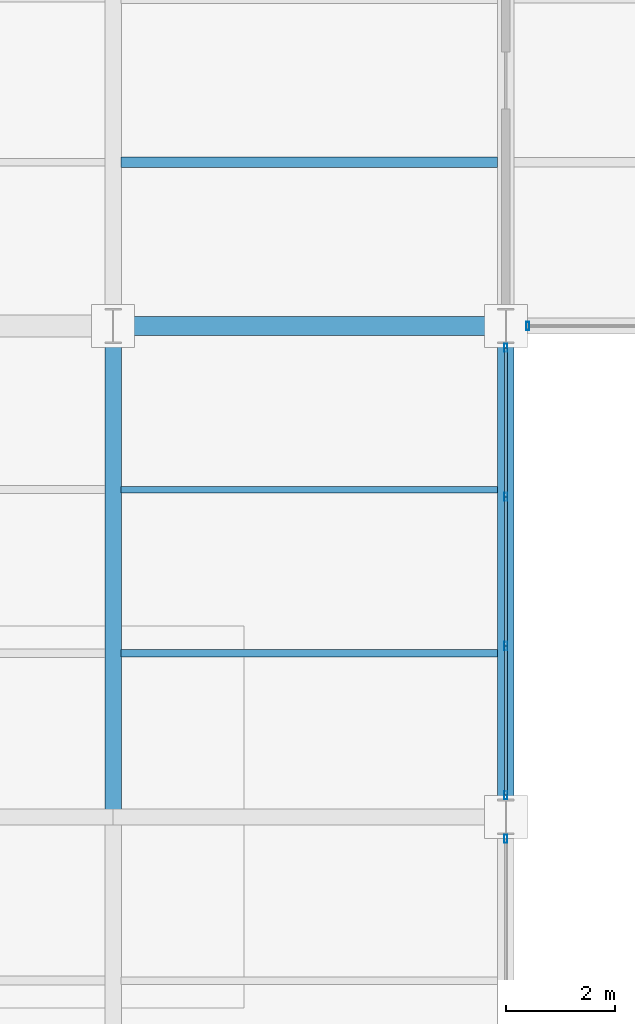
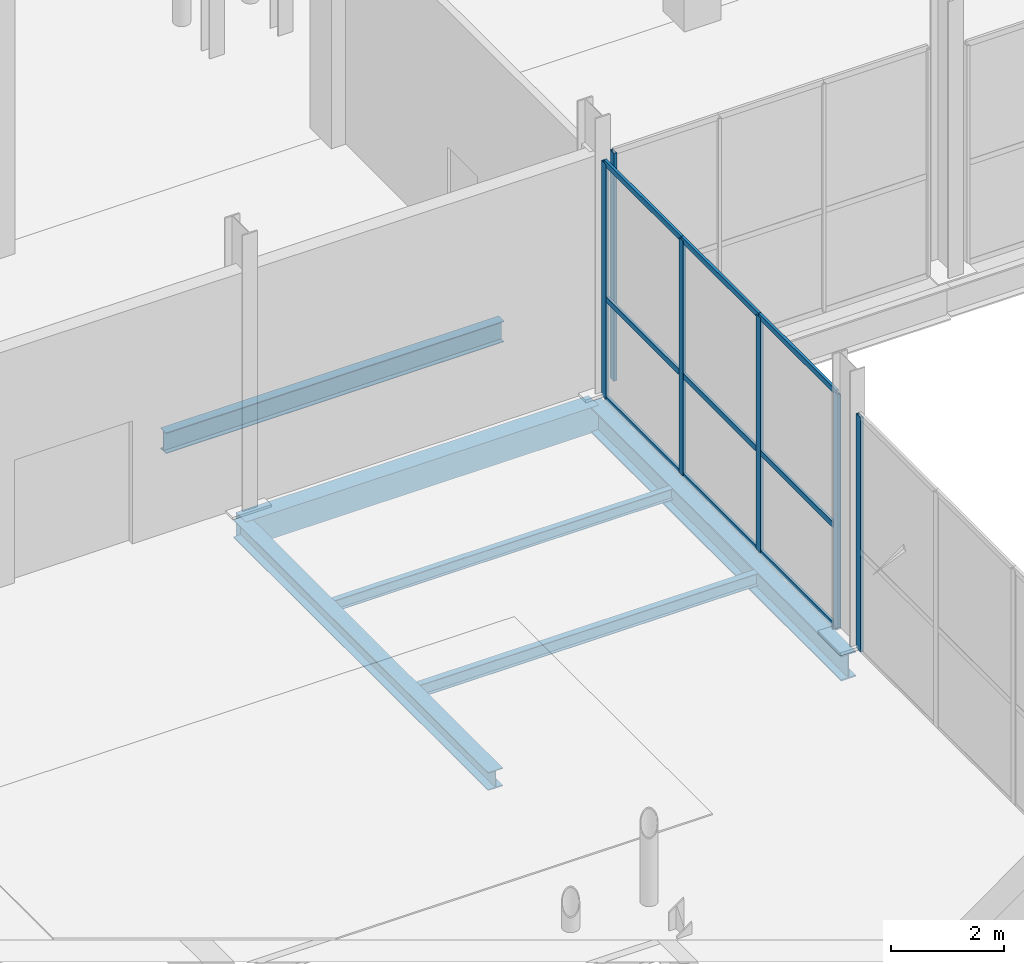
# One storey, part 52 of 144: 15 members, 6 beams, 3 elements without a shape of their own.
"""IFC4 building model written with IfcOpenShell, lengths in metres."""

import ifcopenshell
import ifcopenshell.guid

model = None  # the IFC model being written
_history = None  # IfcOwnerHistory: only IFC2X3 demands one
_inside = {}  # id of a spatial element -> (the spatial element, [elements in it])
_under = {}  # id of a project, library or spatial element -> (it, [spatial elements below it])
_declared = {}  # id of a project -> (the project, [libraries it declares])
_typed = {}  # id of a type object -> (the type object, [elements of that type])
_made_of = {}  # id of a material, layer set ... -> (it, [elements and type objects made of it])


def new_model(schema):
    """Start an empty IFC model of exactly this schema.

    Asked for "IFC4X3", IfcOpenShell would pick the latest addendum, in which some entities
    have other attributes; the version numbers below select the first issue.
    IFC2X3 requires an IfcOwnerHistory on every rooted entity: one is made here for all.
    """
    global model, _history
    if schema == "IFC4X3":
        model = ifcopenshell.file(schema_version=(4, 3, 0, 0))
    else:
        model = ifcopenshell.file(schema=schema)
    _inside.clear()
    _under.clear()
    _declared.clear()
    _typed.clear()
    _made_of.clear()
    _history = None
    if model.schema == "IFC2X3":
        org = make("IfcOrganization", Name="unknown")
        user = make(
            "IfcPersonAndOrganization",
            ThePerson=make("IfcPerson", FamilyName="unknown"),
            TheOrganization=org,
        )
        app = make(
            "IfcApplication",
            ApplicationDeveloper=org,
            Version="unknown",
            ApplicationFullName="unknown",
            ApplicationIdentifier="unknown",
        )
        _history = make(
            "IfcOwnerHistory",
            OwningUser=user,
            OwningApplication=app,
            ChangeAction="ADDED",
            CreationDate=0,
        )
    return model


def make(cls, **values):
    """One entity of the class cls with the attributes given. An attribute that is None is left unset."""
    return model.create_entity(
        cls, **{name: value for name, value in values.items() if value is not None}
    )


def rooted(cls, **values):
    """An entity with a GlobalId (a new one), such as an element, a storey or a relation."""
    return make(cls, GlobalId=ifcopenshell.guid.new(), OwnerHistory=_history, **values)


def si_unit(unit_type, name, prefix=None):
    """IfcSIUnit, for example si_unit("LENGTHUNIT", "METRE", prefix="MILLI")."""
    return make("IfcSIUnit", UnitType=unit_type, Prefix=prefix, Name=name)


def assignment(units):
    """IfcUnitAssignment: the units of a project."""
    return None if units is None else make("IfcUnitAssignment", Units=units)


def point(xyz):
    """IfcCartesianPoint."""
    return None if xyz is None else make("IfcCartesianPoint", Coordinates=xyz)


def direction(xyz):
    """IfcDirection."""
    return None if xyz is None else make("IfcDirection", DirectionRatios=xyz)


def frame(location, z_axis=None, x_axis=None):
    """IfcAxis2Placement3D, a coordinate frame: its origin and axes. An axis left out is left unset."""
    return make(
        "IfcAxis2Placement3D",
        Location=point(location),
        Axis=direction(z_axis),
        RefDirection=direction(x_axis),
    )


def frame_2d(location, x_axis=None):
    """IfcAxis2Placement2D, a coordinate frame in the plane: its origin and x axis."""
    return make(
        "IfcAxis2Placement2D", Location=point(location), RefDirection=direction(x_axis)
    )


def origin():
    """The frame at (0, 0, 0) with its axes left unset."""
    return frame((0.0, 0.0, 0.0))


def origin_2d():
    """The frame at (0, 0) in the plane with its x axis left unset."""
    return frame_2d((0.0, 0.0))


def place(relative_to, where):
    """IfcLocalPlacement: puts the frame where relative to a parent placement (None: the world)."""
    return make(
        "IfcLocalPlacement", PlacementRelTo=relative_to, RelativePlacement=where
    )


def context(
    kind, dimensions, precision=None, world=None, true_north=None, identifier=None
):
    """IfcGeometricRepresentationContext, for example the 3D "Model" context."""
    return make(
        "IfcGeometricRepresentationContext",
        ContextIdentifier=identifier,
        ContextType=kind,
        CoordinateSpaceDimension=dimensions,
        Precision=precision,
        WorldCoordinateSystem=world,
        TrueNorth=true_north,
    )


def subcontext(parent, identifier, kind, view, scale=None):
    """IfcGeometricRepresentationSubContext, for example "Body" below "Model"."""
    return make(
        "IfcGeometricRepresentationSubContext",
        ContextIdentifier=identifier,
        ContextType=kind,
        ParentContext=parent,
        TargetScale=scale,
        TargetView=view,
    )


def project(units=None, contexts=None):
    """IfcProject with its units and contexts."""
    return rooted(
        "IfcProject",
        Name="project",
        RepresentationContexts=contexts,
        UnitsInContext=assignment(units),
    )


def spatial(cls, under=None, at=None, **own):
    """A site, building, storey or space (cls), placed at a placement, below another one or the project."""
    s = rooted(cls, ObjectPlacement=at, **own)
    if under is not None:
        _under.setdefault(under.id(), (under, []))[1].append(s)
    return s


def profile(cls, at=None, kind="AREA", **sizes):
    """A parametric profile (cls). Its sizes go by their IFC names, for example OverallWidth=200.0."""
    return make(cls, ProfileType=kind, Position=at, **sizes)


def rectangle(**sizes):
    """IfcRectangleProfileDef."""
    return profile("IfcRectangleProfileDef", **sizes)


def hollow_rectangle(**sizes):
    """IfcRectangleHollowProfileDef."""
    return profile("IfcRectangleHollowProfileDef", **sizes)


def i_section(**sizes):
    """IfcIShapeProfileDef."""
    return profile("IfcIShapeProfileDef", **sizes)


def extrude(swept, where, along, depth):
    """IfcExtrudedAreaSolid: the profile swept, set in the frame where, extruded along a direction by depth."""
    return make(
        "IfcExtrudedAreaSolid",
        SweptArea=swept,
        Position=where,
        ExtrudedDirection=direction(along),
        Depth=depth,
    )


def shape(context_of_items, identifier, shape_type, items):
    """IfcShapeRepresentation: the items that make up one representation, for example the "Body"."""
    return make(
        "IfcShapeRepresentation",
        ContextOfItems=context_of_items,
        RepresentationIdentifier=identifier,
        RepresentationType=shape_type,
        Items=items,
    )


def material(Name=None, Category=None):
    """IfcMaterial."""
    return make("IfcMaterial", Name=Name, Category=Category)


def layer(
    of_material, thickness, ventilated=None, Name=None, Category=None, Priority=None
):
    """IfcMaterialLayer: one layer of a wall or slab, of a material (None: an air gap)."""
    return make(
        "IfcMaterialLayer",
        Material=of_material,
        LayerThickness=thickness,
        IsVentilated=ventilated,
        Name=Name,
        Category=Category,
        Priority=Priority,
    )


def layer_set(layers, Name=None):
    """IfcMaterialLayerSet."""
    return make("IfcMaterialLayerSet", MaterialLayers=layers, LayerSetName=Name)


def material_profile(
    of_material, cross_section, Name=None, Category=None, Priority=None
):
    """IfcMaterialProfile: a cross section and its material."""
    return make(
        "IfcMaterialProfile",
        Name=Name,
        Material=of_material,
        Profile=cross_section,
        Priority=Priority,
        Category=Category,
    )


def profile_set(profiles, Name=None, composite=None):
    """IfcMaterialProfileSet."""
    return make(
        "IfcMaterialProfileSet",
        Name=Name,
        MaterialProfiles=profiles,
        CompositeProfile=composite,
    )


def made_of(thing, what):
    """Note that an element or type object is made of a material, layer set ...; save() writes the relation."""
    if what is not None:
        _made_of.setdefault(what.id(), (what, []))[1].append(thing)
    return thing


def type_object(cls, material=None, **own):
    """A type object (cls), such as IfcWallType, which elements share."""
    return made_of(rooted(cls, **own), material)


def element(
    cls,
    number,
    at=None,
    inside=None,
    cuts=None,
    type_object=None,
    material=None,
    context=None,
    identifier="Body",
    shape_type=None,
    held_by="IfcProductDefinitionShape",
    body=None,
    shapes=None,
    **own,
):
    """One element of the class cls, such as IfcWall. Its Tag is "e" and its number.

    at: its placement. inside: the storey or other place that contains it. cuts: it is an
    opening in that element (IfcRelVoidsElement). A single representation is given by context,
    identifier, shape_type and body (its items); several are given by shapes. held_by: the class
    of the entity that holds the representations. save() writes the other relations.
    """
    e = rooted(cls, Tag="e%d" % number, ObjectPlacement=at, **own)
    if body is not None:
        shapes = [shape(context, identifier, shape_type, body)]
    if shapes is not None:
        e.Representation = make(held_by, Representations=shapes)
    if inside is not None:
        _inside.setdefault(inside.id(), (inside, []))[1].append(e)
    if cuts is not None:
        rooted(
            "IfcRelVoidsElement", RelatingBuildingElement=cuts, RelatedOpeningElement=e
        )
    if type_object is not None:
        _typed.setdefault(type_object.id(), (type_object, []))[1].append(e)
    return made_of(e, material)


def aggregate(whole, parts):
    """IfcRelAggregates: a whole, such as a stair, and the parts it consists of."""
    return rooted("IfcRelAggregates", RelatingObject=whole, RelatedObjects=parts)


def save(model, path):
    """Write the relations noted so far, then the file.

    IfcRelAggregates (storeys below a building ...), IfcRelContainedInSpatialStructure (elements
    in a storey), IfcRelDefinesByType, IfcRelAssociatesMaterial and IfcRelDeclares: one each for
    every whole, place, type object, material and project.
    """
    for whole, parts in _under.values():
        aggregate(whole, parts)
    for where, things in _inside.values():
        rooted(
            "IfcRelContainedInSpatialStructure",
            RelatedElements=things,
            RelatingStructure=where,
        )
    for kind, things in _typed.values():
        rooted("IfcRelDefinesByType", RelatedObjects=things, RelatingType=kind)
    for what, things in _made_of.values():
        rooted("IfcRelAssociatesMaterial", RelatedObjects=things, RelatingMaterial=what)
    for by, libraries in _declared.values():
        rooted("IfcRelDeclares", RelatingContext=by, RelatedDefinitions=libraries)
    model.write(path)


model = new_model("IFC4")

# Units and contexts
model_context = context("Model", 3, precision=1e-05, world=origin(), true_north=direction((0.0, 1.0)))
body_context = subcontext(model_context, "Body", "Model", "MODEL_VIEW")
ifc_project = project(units=[si_unit("LENGTHUNIT", "METRE"), si_unit("AREAUNIT", "SQUARE_METRE"), si_unit("VOLUMEUNIT", "CUBIC_METRE"), si_unit("PLANEANGLEUNIT", "RADIAN"), si_unit("MASSUNIT", "GRAM", prefix="KILO")], contexts=[model_context])

# Site, building, storey
site_placement = place(None, origin())
site = spatial("IfcSite", under=ifc_project, at=site_placement, CompositionType="ELEMENT")
building_placement = place(site_placement, origin())
building = spatial("IfcBuilding", under=site, at=building_placement, Name="Sundgate Opera House", CompositionType="ELEMENT")
storey_placement = place(building_placement, origin())
storey = spatial("IfcBuildingStorey", under=building, at=storey_placement, Name="L00", CompositionType="ELEMENT", Elevation=0.0)

# Beams
ifc_material_1 = material(Name="Steel S355J2", Category="steel")
ifc_material_profile_1 = material_profile(ifc_material_1, i_section(OverallWidth=0.300048828125, OverallDepth=0.389892578125, WebThickness=0.010986328125, FlangeThickness=0.01904296875, at=origin_2d()), Name="HEA 400")
ifc_profile_set_1 = profile_set([ifc_material_profile_1], Name="Steel S355J2")
beam_type_1 = type_object("IfcBeamType", Name="BM-GR-HEA400", PredefinedType="BEAM", material=ifc_profile_set_1)
beam_1_placement = place(storey_placement, frame((109.800048828125, 51.0, -0.514892578125), z_axis=(0.0, 1.0, 0.0), x_axis=(-1.0, 0.0, 0.0)))
element("IfcBeam", 1, at=beam_1_placement, inside=storey, type_object=beam_type_1, Name="L00 Primary N-S Girder B0224", PredefinedType="BEAM", context=body_context, shape_type="SweptSolid", body=[
    extrude(i_section(OverallWidth=0.300048828125, OverallDepth=0.389892578125, WebThickness=0.010986328125, FlangeThickness=0.01904296875, at=origin_2d()), origin(), (0.0, 0.0, 1.0), 9.0),
])
ifc_material_2 = material(Name="Steel S355J2", Category="steel")
ifc_material_profile_2 = material_profile(ifc_material_2, i_section(OverallWidth=0.300048828125, OverallDepth=0.550048828125, WebThickness=0.014892578125, FlangeThickness=0.029052734375, at=origin_2d()), Name="HEB 550")
ifc_profile_set_2 = profile_set([ifc_material_profile_2], Name="Steel S355J2")
beam_type_2 = type_object("IfcBeamType", Name="BM-GR-HEB550", PredefinedType="BEAM", material=ifc_profile_set_2)
beam_2_placement = place(storey_placement, frame((117.0, 51.0, -0.594970703125), z_axis=(0.0, 1.0, 0.0), x_axis=(-1.0, 0.0, 0.0)))
element("IfcBeam", 2, at=beam_2_placement, inside=storey, type_object=beam_type_2, Name="L00 Primary N-S Girder B0238", PredefinedType="BEAM", context=body_context, shape_type="SweptSolid", body=[
    extrude(i_section(OverallWidth=0.300048828125, OverallDepth=0.550048828125, WebThickness=0.014892578125, FlangeThickness=0.029052734375, at=origin_2d()), origin(), (0.0, 0.0, 1.0), 9.0),
])
ifc_material_3 = material(Name="Steel S355J2", Category="steel")
ifc_material_profile_3 = material_profile(ifc_material_3, i_section(OverallWidth=0.1201171875, OverallDepth=0.239990234375, WebThickness=0.006103515625, FlangeThickness=0.009765625, at=origin_2d()), Name="IPE 240")
ifc_profile_set_3 = profile_set([ifc_material_profile_3], Name="Steel S355J2")
beam_type_3 = type_object("IfcBeamType", Name="BM-JS-IPE240", PredefinedType="JOIST", material=ifc_profile_set_3)
beam_3_placement = place(storey_placement, frame((109.949951171875, 57.0, -0.43994140625), z_axis=(1.0, 0.0, 0.0), x_axis=(0.0, 1.0, 0.0)))
element("IfcBeam", 3, at=beam_3_placement, inside=storey, type_object=beam_type_3, Name="L00 Secondary Floor Joist B0797", PredefinedType="JOIST", context=body_context, shape_type="SweptSolid", body=[
    extrude(i_section(OverallWidth=0.1201171875, OverallDepth=0.239990234375, WebThickness=0.006103515625, FlangeThickness=0.009765625, at=origin_2d()), origin(), (0.0, 0.0, 1.0), 6.900146484375),
])
ifc_material_4 = material(Name="Steel S355J2", Category="steel")
ifc_material_profile_4 = material_profile(ifc_material_4, i_section(OverallWidth=0.135009765625, OverallDepth=0.27001953125, WebThickness=0.006591796875, FlangeThickness=0.01025390625, at=origin_2d()), Name="IPE 270")
ifc_profile_set_4 = profile_set([ifc_material_profile_4], Name="Steel S355J2")
beam_type_4 = type_object("IfcBeamType", Name="BM-JS-IPE270", PredefinedType="JOIST", material=ifc_profile_set_4)
beam_4_placement = place(storey_placement, frame((109.949951171875, 54.0, -0.455078125), z_axis=(1.0, 0.0, 0.0), x_axis=(0.0, 1.0, 0.0)))
element("IfcBeam", 4, at=beam_4_placement, inside=storey, type_object=beam_type_4, Name="L00 Secondary Floor Joist B0796", PredefinedType="JOIST", context=body_context, shape_type="SweptSolid", body=[
    extrude(i_section(OverallWidth=0.135009765625, OverallDepth=0.27001953125, WebThickness=0.006591796875, FlangeThickness=0.01025390625, at=origin_2d()), origin(), (0.0, 0.0, 1.0), 6.900146484375),
])
ifc_material_5 = material(Name="Steel S355J2", Category="steel")
ifc_material_profile_5 = material_profile(ifc_material_5, i_section(OverallWidth=0.18994140625, OverallDepth=0.449951171875, WebThickness=0.009521484375, FlangeThickness=0.0146484375, at=origin_2d()), Name="IPE 450")
ifc_profile_set_5 = profile_set([ifc_material_profile_5], Name="Steel S355J2")
beam_type_5 = type_object("IfcBeamType", Name="BM-JS-IPE450", PredefinedType="JOIST", material=ifc_profile_set_5)
beam_5_placement = place(storey_placement, frame((109.949951171875, 63.0, -0.544921875), z_axis=(1.0, 0.0, 0.0), x_axis=(0.0, 1.0, 0.0)))
element("IfcBeam", 5, at=beam_5_placement, inside=storey, type_object=beam_type_5, Name="L00 Secondary Floor Joist B0826", PredefinedType="JOIST", context=body_context, shape_type="SweptSolid", body=[
    extrude(i_section(OverallWidth=0.18994140625, OverallDepth=0.449951171875, WebThickness=0.009521484375, FlangeThickness=0.0146484375, at=origin_2d()), origin(), (0.0, 0.0, 1.0), 6.900146484375),
])
ifc_material_6 = material(Name="Concrete C35/45", Category="concrete")
ifc_material_profile_6 = material_profile(ifc_material_6, rectangle(XDim=0.35009765625, YDim=0.550048828125, at=origin_2d()), Name="RC 350x550")
ifc_profile_set_6 = profile_set([ifc_material_profile_6], Name="Concrete C35/45")
beam_type_6 = type_object("IfcBeamType", Name="BM-RC-350x550", PredefinedType="BEAM", material=ifc_profile_set_6)
beam_6_placement = place(storey_placement, frame((109.800048828125, 60.0, -0.594970703125), z_axis=(1.0, 0.0, 0.0), x_axis=(0.0, 1.0, 0.0)))
element("IfcBeam", 6, at=beam_6_placement, inside=storey, type_object=beam_type_6, Name="L00 Primary E-W Girder B0453", PredefinedType="BEAM", context=body_context, shape_type="SweptSolid", body=[
    extrude(rectangle(XDim=0.35009765625, YDim=0.550048828125, at=origin_2d()), origin(), (0.0, 0.0, 1.0), 7.199951171875),
])

# Curtain wall, member
ifc_material_7 = material(Name="Anodized aluminium and low-iron glass", Category="aluminium")
ifc_layer = layer(ifc_material_7, 0.159912109375)
ifc_layer_set = layer_set([ifc_layer], Name="Anodized aluminium and low-iron glass")
curtain_wall_type = type_object("IfcCurtainWallType", Name="CW-STUDIO-DARK", PredefinedType="NOTDEFINED", material=ifc_layer_set)
curtain_wall_1_placement = place(storey_placement, origin())
curtain_wall_1 = element("IfcCurtainWall", 7, at=curtain_wall_1_placement, inside=storey, type_object=curtain_wall_type, Name="L00 Curtain Wall CW035", PredefinedType="NOTDEFINED")
ifc_material_8 = material(Name="Anodized aluminium EN AW-6063", Category="aluminium")
ifc_material_profile_7 = material_profile(ifc_material_8, hollow_rectangle(XDim=0.06005859375, YDim=0.14990234375, WallThickness=0.00390625, at=origin_2d()), Name="CWM 150x60x4")
ifc_profile_set_7 = profile_set([ifc_material_profile_7], Name="Anodized aluminium EN AW-6063")
member_type_1 = type_object("IfcMemberType", Name="CWM-ALU-150x60", PredefinedType="MULLION", material=ifc_profile_set_7)
member_1_placement = place(storey_placement, frame((117.39990234375, 60.0, 0.0), z_axis=(0.0, 0.0, 1.0), x_axis=(1.0, 0.0, 0.0)))
member_1 = element("IfcMember", 8, at=member_1_placement, type_object=member_type_1, Name="CW035 Mullion 4", PredefinedType="MULLION", context=body_context, shape_type="SweptSolid", body=[
    extrude(hollow_rectangle(XDim=0.06005859375, YDim=0.14990234375, WallThickness=0.00390625, at=origin_2d()), origin(), (0.0, 0.0, 1.0), 4.9150390625),
])
aggregate(curtain_wall_1, [member_1])

curtain_wall_2_placement = place(storey_placement, origin())
curtain_wall_2 = element("IfcCurtainWall", 9, at=curtain_wall_2_placement, inside=storey, type_object=curtain_wall_type, Name="L00 Curtain Wall CW040", PredefinedType="NOTDEFINED")
member_2_placement = place(storey_placement, frame((117.0, 50.60009765625, 0.0), z_axis=(0.0, 0.0, 1.0), x_axis=(1.0, 0.0, 0.0)))
member_2 = element("IfcMember", 10, at=member_2_placement, type_object=member_type_1, Name="CW040 Mullion 4", PredefinedType="MULLION", context=body_context, shape_type="SweptSolid", body=[
    extrude(hollow_rectangle(XDim=0.06005859375, YDim=0.14990234375, WallThickness=0.00390625, at=origin_2d()), origin(), (0.0, 0.0, 1.0), 5.06494140625),
])
aggregate(curtain_wall_2, [member_2])

# Curtain wall, members
curtain_wall_3_placement = place(storey_placement, origin())
curtain_wall_3 = element("IfcCurtainWall", 11, at=curtain_wall_3_placement, inside=storey, type_object=curtain_wall_type, Name="L00 Curtain Wall CW042", PredefinedType="NOTDEFINED")
member_3_placement = place(storey_placement, frame((117.0, 51.39990234375, 0.0), z_axis=(0.0, 0.0, 1.0), x_axis=(1.0, 0.0, 0.0)))
member_3 = element("IfcMember", 12, at=member_3_placement, type_object=member_type_1, Name="CW042 Mullion 1", PredefinedType="MULLION", context=body_context, shape_type="SweptSolid", body=[
    extrude(hollow_rectangle(XDim=0.06005859375, YDim=0.14990234375, WallThickness=0.00390625, at=origin_2d()), origin(), (0.0, 0.0, 1.0), 5.06494140625),
])
member_4_placement = place(storey_placement, frame((117.0, 54.13330078125, 0.0), z_axis=(0.0, 0.0, 1.0), x_axis=(1.0, 0.0, 0.0)))
member_4 = element("IfcMember", 13, at=member_4_placement, type_object=member_type_1, Name="CW042 Mullion 2", PredefinedType="MULLION", context=body_context, shape_type="SweptSolid", body=[
    extrude(hollow_rectangle(XDim=0.06005859375, YDim=0.14990234375, WallThickness=0.00390625, at=origin_2d()), origin(), (0.0, 0.0, 1.0), 5.06494140625),
])
member_5_placement = place(storey_placement, frame((117.0, 56.86669921875, 0.0), z_axis=(0.0, 0.0, 1.0), x_axis=(1.0, 0.0, 0.0)))
member_5 = element("IfcMember", 14, at=member_5_placement, type_object=member_type_1, Name="CW042 Mullion 3", PredefinedType="MULLION", context=body_context, shape_type="SweptSolid", body=[
    extrude(hollow_rectangle(XDim=0.06005859375, YDim=0.14990234375, WallThickness=0.00390625, at=origin_2d()), origin(), (0.0, 0.0, 1.0), 5.06494140625),
])
member_6_placement = place(storey_placement, frame((117.0, 59.60009765625, 0.0), z_axis=(0.0, 0.0, 1.0), x_axis=(1.0, 0.0, 0.0)))
member_6 = element("IfcMember", 15, at=member_6_placement, type_object=member_type_1, Name="CW042 Mullion 4", PredefinedType="MULLION", context=body_context, shape_type="SweptSolid", body=[
    extrude(hollow_rectangle(XDim=0.06005859375, YDim=0.14990234375, WallThickness=0.00390625, at=origin_2d()), origin(), (0.0, 0.0, 1.0), 5.06494140625),
])
ifc_material_9 = material(Name="Anodized aluminium EN AW-6063", Category="aluminium")
ifc_material_profile_8 = material_profile(ifc_material_9, hollow_rectangle(XDim=0.054931640625, YDim=0.1201171875, WallThickness=0.00390625, at=origin_2d()), Name="CWT 120x55x4")
ifc_profile_set_8 = profile_set([ifc_material_profile_8], Name="Anodized aluminium EN AW-6063")
member_type_2 = type_object("IfcMemberType", Name="CWT-ALU-120x55", PredefinedType="USERDEFINED", material=ifc_profile_set_8)
member_7_placement = place(storey_placement, frame((117.0, 51.39990234375, 0.0), z_axis=(0.0, 1.0, 0.0), x_axis=(-1.0, 0.0, 0.0)))
member_7 = element("IfcMember", 16, at=member_7_placement, type_object=member_type_2, Name="CW042 Transom 1", ObjectType="TRANSOM", PredefinedType="USERDEFINED", context=body_context, shape_type="SweptSolid", body=[
    extrude(hollow_rectangle(XDim=0.054931640625, YDim=0.1201171875, WallThickness=0.00390625, at=origin_2d()), origin(), (0.0, 0.0, 1.0), 2.7333984375),
])
member_8_placement = place(storey_placement, frame((117.0, 51.39990234375, 2.14990234375), z_axis=(0.0, 1.0, 0.0), x_axis=(-1.0, 0.0, 0.0)))
member_8 = element("IfcMember", 17, at=member_8_placement, type_object=member_type_2, Name="CW042 Transom 2", ObjectType="TRANSOM", PredefinedType="USERDEFINED", context=body_context, shape_type="SweptSolid", body=[
    extrude(hollow_rectangle(XDim=0.054931640625, YDim=0.1201171875, WallThickness=0.00390625, at=origin_2d()), origin(), (0.0, 0.0, 1.0), 2.7333984375),
])
member_9_placement = place(storey_placement, frame((117.0, 51.39990234375, 5.06494140625), z_axis=(0.0, 1.0, 0.0), x_axis=(-1.0, 0.0, 0.0)))
member_9 = element("IfcMember", 18, at=member_9_placement, type_object=member_type_2, Name="CW042 Transom 3", ObjectType="TRANSOM", PredefinedType="USERDEFINED", context=body_context, shape_type="SweptSolid", body=[
    extrude(hollow_rectangle(XDim=0.054931640625, YDim=0.1201171875, WallThickness=0.00390625, at=origin_2d()), origin(), (0.0, 0.0, 1.0), 2.7333984375),
])
member_10_placement = place(storey_placement, frame((117.0, 54.13330078125, 0.0), z_axis=(0.0, 1.0, 0.0), x_axis=(-1.0, 0.0, 0.0)))
member_10 = element("IfcMember", 19, at=member_10_placement, type_object=member_type_2, Name="CW042 Transom 4", ObjectType="TRANSOM", PredefinedType="USERDEFINED", context=body_context, shape_type="SweptSolid", body=[
    extrude(hollow_rectangle(XDim=0.054931640625, YDim=0.1201171875, WallThickness=0.00390625, at=origin_2d()), origin(), (0.0, 0.0, 1.0), 2.7333984375),
])
member_11_placement = place(storey_placement, frame((117.0, 54.13330078125, 2.14990234375), z_axis=(0.0, 1.0, 0.0), x_axis=(-1.0, 0.0, 0.0)))
member_11 = element("IfcMember", 20, at=member_11_placement, type_object=member_type_2, Name="CW042 Transom 5", ObjectType="TRANSOM", PredefinedType="USERDEFINED", context=body_context, shape_type="SweptSolid", body=[
    extrude(hollow_rectangle(XDim=0.054931640625, YDim=0.1201171875, WallThickness=0.00390625, at=origin_2d()), origin(), (0.0, 0.0, 1.0), 2.7333984375),
])
member_12_placement = place(storey_placement, frame((117.0, 54.13330078125, 5.06494140625), z_axis=(0.0, 1.0, 0.0), x_axis=(-1.0, 0.0, 0.0)))
member_12 = element("IfcMember", 21, at=member_12_placement, type_object=member_type_2, Name="CW042 Transom 6", ObjectType="TRANSOM", PredefinedType="USERDEFINED", context=body_context, shape_type="SweptSolid", body=[
    extrude(hollow_rectangle(XDim=0.054931640625, YDim=0.1201171875, WallThickness=0.00390625, at=origin_2d()), origin(), (0.0, 0.0, 1.0), 2.7333984375),
])
member_13_placement = place(storey_placement, frame((117.0, 56.86669921875, 0.0), z_axis=(0.0, 1.0, 0.0), x_axis=(-1.0, 0.0, 0.0)))
member_13 = element("IfcMember", 22, at=member_13_placement, type_object=member_type_2, Name="CW042 Transom 7", ObjectType="TRANSOM", PredefinedType="USERDEFINED", context=body_context, shape_type="SweptSolid", body=[
    extrude(hollow_rectangle(XDim=0.054931640625, YDim=0.1201171875, WallThickness=0.00390625, at=origin_2d()), origin(), (0.0, 0.0, 1.0), 2.7333984375),
])
member_14_placement = place(storey_placement, frame((117.0, 56.86669921875, 2.14990234375), z_axis=(0.0, 1.0, 0.0), x_axis=(-1.0, 0.0, 0.0)))
member_14 = element("IfcMember", 23, at=member_14_placement, type_object=member_type_2, Name="CW042 Transom 8", ObjectType="TRANSOM", PredefinedType="USERDEFINED", context=body_context, shape_type="SweptSolid", body=[
    extrude(hollow_rectangle(XDim=0.054931640625, YDim=0.1201171875, WallThickness=0.00390625, at=origin_2d()), origin(), (0.0, 0.0, 1.0), 2.7333984375),
])
member_15_placement = place(storey_placement, frame((117.0, 56.86669921875, 5.06494140625), z_axis=(0.0, 1.0, 0.0), x_axis=(-1.0, 0.0, 0.0)))
member_15 = element("IfcMember", 24, at=member_15_placement, type_object=member_type_2, Name="CW042 Transom 9", ObjectType="TRANSOM", PredefinedType="USERDEFINED", context=body_context, shape_type="SweptSolid", body=[
    extrude(hollow_rectangle(XDim=0.054931640625, YDim=0.1201171875, WallThickness=0.00390625, at=origin_2d()), origin(), (0.0, 0.0, 1.0), 2.7333984375),
])
aggregate(curtain_wall_3, [member_3, member_4, member_5, member_6, member_7, member_8, member_9, member_10, member_11, member_12, member_13, member_14, member_15])

save(model, "model.ifc")
